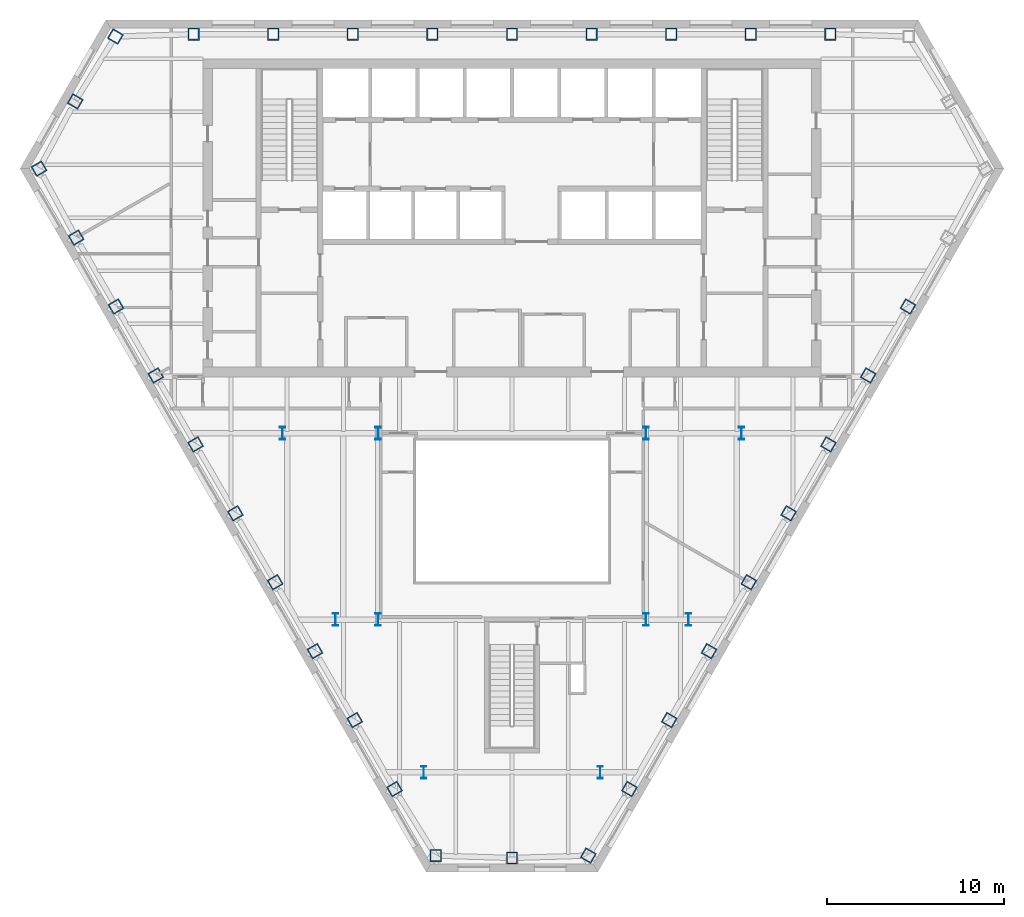
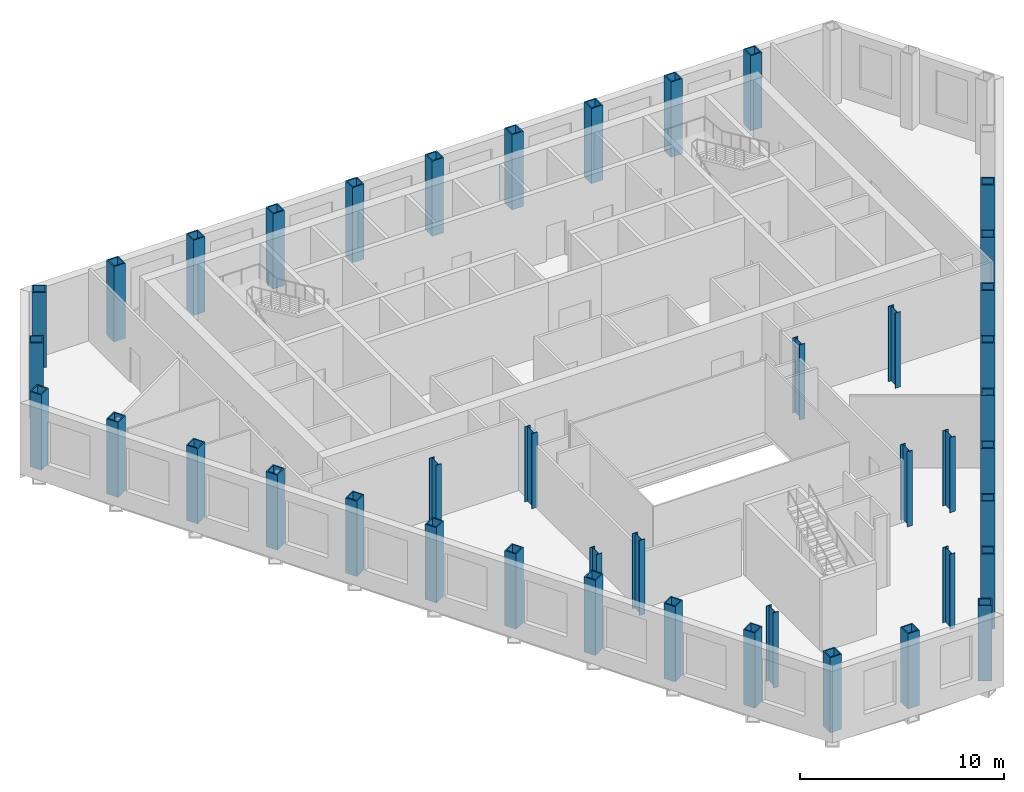
# One storey, part 1 of 12: 42 columns.
"""IFC4 building model written with IfcOpenShell, lengths in metres."""

from ifc_helpers import new_model, si_unit, direction, frame, origin, origin_2d, place, context, subcontext, project, spatial, hollow_rectangle, i_section, extrude, material, material_profile, profile_set, type_object, element, save


model = new_model("IFC4")

# Units and contexts
model_context = context("Model", 3, precision=1e-05, world=origin(), true_north=direction((0.0, 1.0)))
body_context = subcontext(model_context, "Body", "Model", "MODEL_VIEW")
ifc_project = project(units=[si_unit("LENGTHUNIT", "METRE"), si_unit("AREAUNIT", "SQUARE_METRE"), si_unit("VOLUMEUNIT", "CUBIC_METRE"), si_unit("PLANEANGLEUNIT", "RADIAN"), si_unit("MASSUNIT", "GRAM", prefix="KILO")], contexts=[model_context])

# Site, building, storey
site_placement = place(None, origin())
site = spatial("IfcSite", under=ifc_project, at=site_placement, CompositionType="ELEMENT")
building_placement = place(site_placement, origin())
building = spatial("IfcBuilding", under=site, at=building_placement, Name="Njiva Tower", CompositionType="ELEMENT")
storey_placement = place(building_placement, frame((0.0, 0.0, 111.3)))
storey = spatial("IfcBuildingStorey", under=building, at=storey_placement, Name="L23", CompositionType="ELEMENT", Elevation=111.3)

# Columns
ifc_material = material(Name="Steel S355 J2", Category="steel")
ifc_material_profile_1 = material_profile(ifc_material, hollow_rectangle(XDim=0.65, YDim=0.7, WallThickness=0.065, at=origin_2d()), Name="BOX 700x650x65")
ifc_profile_set_1 = profile_set([ifc_material_profile_1], Name="Steel S355 J2")
column_type_1 = type_object("IfcColumnType", Name="C7 Perimeter tube column BOX 700x650x65", PredefinedType="COLUMN", material=ifc_profile_set_1)
for number, where, z_axis, x_axis, name in (
    (1, (18.026, 19.4, 0.0), (0.0, 0.0, 1.0), (-1.0, 0.0, 0.0), "Perimeter tube column S08-C02"),
    (2, (13.52, 19.4, 0.0), (0.0, 0.0, 1.0), (-1.0, 0.0, 0.0), "Perimeter tube column S08-C03"),
    (3, (9.013, 19.4, 0.0), (0.0, 0.0, 1.0), (-1.0, 0.0, 0.0), "Perimeter tube column S08-C04"),
    (4, (4.507, 19.4, 0.0), (0.0, 0.0, 1.0), (-1.0, 0.0, 0.0), "Perimeter tube column S08-C05"),
    (5, (0.0, 19.4, 0.0), (0.0, 0.0, 1.0), (-1.0, 0.0, 0.0), "Perimeter tube column S08-C06"),
    (6, (-4.507, 19.4, 0.0), (0.0, 0.0, 1.0), (-1.0, 0.0, 0.0), "Perimeter tube column S08-C07"),
    (7, (-9.013, 19.4, 0.0), (0.0, 0.0, 1.0), (-1.0, 0.0, 0.0), "Perimeter tube column S08-C08"),
    (8, (-13.52, 19.4, 0.0), (0.0, 0.0, 1.0), (-1.0, 0.0, 0.0), "Perimeter tube column S08-C09"),
    (9, (-18.026, 19.4, 0.0), (0.0, 0.0, 1.0), (-1.0, 0.0, 0.0), "Perimeter tube column S08-C10"),
    (10, (-22.456, 19.267, 0.0), (0.0, 0.0, 1.0), (-0.5, -0.866025403784, 0.0), "Perimeter tube column S08-C11"),
    (11, (-24.732, 15.591, 0.0), (0.0, 0.0, 1.0), (-0.5, -0.866025403784, 0.0), "Perimeter tube column S08-C12"),
    (12, (-26.778, 11.782, 0.0), (0.0, 0.0, 1.0), (0.5, -0.866025403784, 0.0), "Perimeter tube column S08-C13"),
    (13, (-24.678, 7.879, 0.0), (0.0, 0.0, 1.0), (0.5, -0.866025403784, 0.0), "Perimeter tube column S08-C14"),
    (14, (-22.425, 3.977, 0.0), (0.0, 0.0, 1.0), (0.5, -0.866025403784, 0.0), "Perimeter tube column S08-C15"),
    (15, (-20.171, 0.074, 0.0), (0.0, 0.0, 1.0), (0.5, -0.866025403784, 0.0), "Perimeter tube column S08-C16"),
    (16, (-17.918, -3.829, 0.0), (0.0, 0.0, 1.0), (0.5, -0.866025403784, 0.0), "Perimeter tube column S08-C17"),
    (17, (-15.665, -7.732, 0.0), (0.0, 0.0, 1.0), (0.5, -0.866025403784, 0.0), "Perimeter tube column S08-C18"),
    (18, (-13.411, -11.635, 0.0), (0.0, 0.0, 1.0), (0.5, -0.866025403784, 0.0), "Perimeter tube column S08-C19"),
    (19, (-11.158, -15.538, 0.0), (0.0, 0.0, 1.0), (0.5, -0.866025403784, 0.0), "Perimeter tube column S08-C20"),
    (20, (-8.905, -19.441, 0.0), (0.0, 0.0, 1.0), (0.5, -0.866025403784, 0.0), "Perimeter tube column S08-C21"),
    (21, (-6.651, -23.343, 0.0), (0.0, 0.0, 1.0), (0.5, -0.866025403784, 0.0), "Perimeter tube column S08-C22"),
    (22, (-4.321, -27.113, 0.0), (0.0, 0.0, 1.0), (1.0, 0.0, 0.0), "Perimeter tube column S08-C23"),
    (23, (0.0, -27.246, 0.0), (0.0, 0.0, 1.0), (1.0, 0.0, 0.0), "Perimeter tube column S08-C24"),
    (24, (4.321, -27.113, 0.0), (0.0, 0.0, 1.0), (0.5, 0.866025403784, 0.0), "Perimeter tube column S08-C25"),
    (25, (6.651, -23.343, 0.0), (0.0, 0.0, 1.0), (0.5, 0.866025403784, 0.0), "Perimeter tube column S08-C26"),
    (26, (8.905, -19.441, 0.0), (0.0, 0.0, 1.0), (0.5, 0.866025403784, 0.0), "Perimeter tube column S08-C27"),
    (27, (11.158, -15.538, 0.0), (0.0, 0.0, 1.0), (0.5, 0.866025403784, 0.0), "Perimeter tube column S08-C28"),
    (28, (13.411, -11.635, 0.0), (0.0, 0.0, 1.0), (0.5, 0.866025403784, 0.0), "Perimeter tube column S08-C29"),
    (29, (15.665, -7.732, 0.0), (0.0, 0.0, 1.0), (0.5, 0.866025403784, 0.0), "Perimeter tube column S08-C30"),
    (30, (17.918, -3.829, 0.0), (0.0, 0.0, 1.0), (0.5, 0.866025403784, 0.0), "Perimeter tube column S08-C31"),
    (31, (20.171, 0.074, 0.0), (0.0, 0.0, 1.0), (0.5, 0.866025403784, 0.0), "Perimeter tube column S08-C32"),
    (32, (22.425, 3.977, 0.0), (0.0, 0.0, 1.0), (0.5, 0.866025403784, 0.0), "Perimeter tube column S08-C33"),
):
    element("IfcColumn", number, at=place(storey_placement, frame(where, z_axis=z_axis, x_axis=x_axis)), inside=storey, type_object=column_type_1, Name=name, PredefinedType="COLUMN", context=body_context, shape_type="SweptSolid", body=[
        extrude(hollow_rectangle(XDim=0.65, YDim=0.7, WallThickness=0.065, at=origin_2d()), origin(), (0.0, 0.0, 1.0), 4.5),
    ])
ifc_material_profile_2 = material_profile(ifc_material, i_section(OverallWidth=0.304, OverallDepth=0.716, WebThickness=0.021, FlangeThickness=0.04, at=origin_2d()), Name="HEM 700")
ifc_profile_set_2 = profile_set([ifc_material_profile_2], Name="Steel S355 J2")
column_type_2 = type_object("IfcColumnType", Name="C8 Interior column HEM 700", PredefinedType="COLUMN", material=ifc_profile_set_2)
for number, where, z_axis, x_axis, name in (
    (33, (7.58, -3.2, 0.0), (0.0, 0.0, 1.0), (1.0, 0.0, 0.0), "Interior column S08-C37"),
    (34, (-7.58, -3.2, 0.0), (0.0, 0.0, 1.0), (1.0, 0.0, 0.0), "Interior column S08-C38"),
    (35, (7.58, -13.75, 0.0), (0.0, 0.0, 1.0), (1.0, 0.0, 0.0), "Interior column S08-C39"),
    (36, (-7.58, -13.75, 0.0), (0.0, 0.0, 1.0), (1.0, 0.0, 0.0), "Interior column S08-C40"),
    (37, (5.0, -22.4, 0.0), (0.0, 0.0, 1.0), (1.0, 0.0, 0.0), "Interior column S08-C41"),
    (38, (-5.0, -22.4, 0.0), (0.0, 0.0, 1.0), (1.0, 0.0, 0.0), "Interior column S08-C42"),
    (39, (13.0, -3.2, 0.0), (0.0, 0.0, 1.0), (1.0, 0.0, 0.0), "Interior column S08-C43"),
    (40, (-13.0, -3.2, 0.0), (0.0, 0.0, 1.0), (1.0, 0.0, 0.0), "Interior column S08-C44"),
    (41, (10.0, -13.75, 0.0), (0.0, 0.0, 1.0), (1.0, 0.0, 0.0), "Interior column S08-C45"),
    (42, (-10.0, -13.75, 0.0), (0.0, 0.0, 1.0), (1.0, 0.0, 0.0), "Interior column S08-C46"),
):
    element("IfcColumn", number, at=place(storey_placement, frame(where, z_axis=z_axis, x_axis=x_axis)), inside=storey, type_object=column_type_2, Name=name, PredefinedType="COLUMN", context=body_context, shape_type="SweptSolid", body=[
        extrude(i_section(OverallWidth=0.304, OverallDepth=0.716, WebThickness=0.021, FlangeThickness=0.04, at=origin_2d()), origin(), (0.0, 0.0, 1.0), 4.5),
    ])

save(model, "model.ifc")
